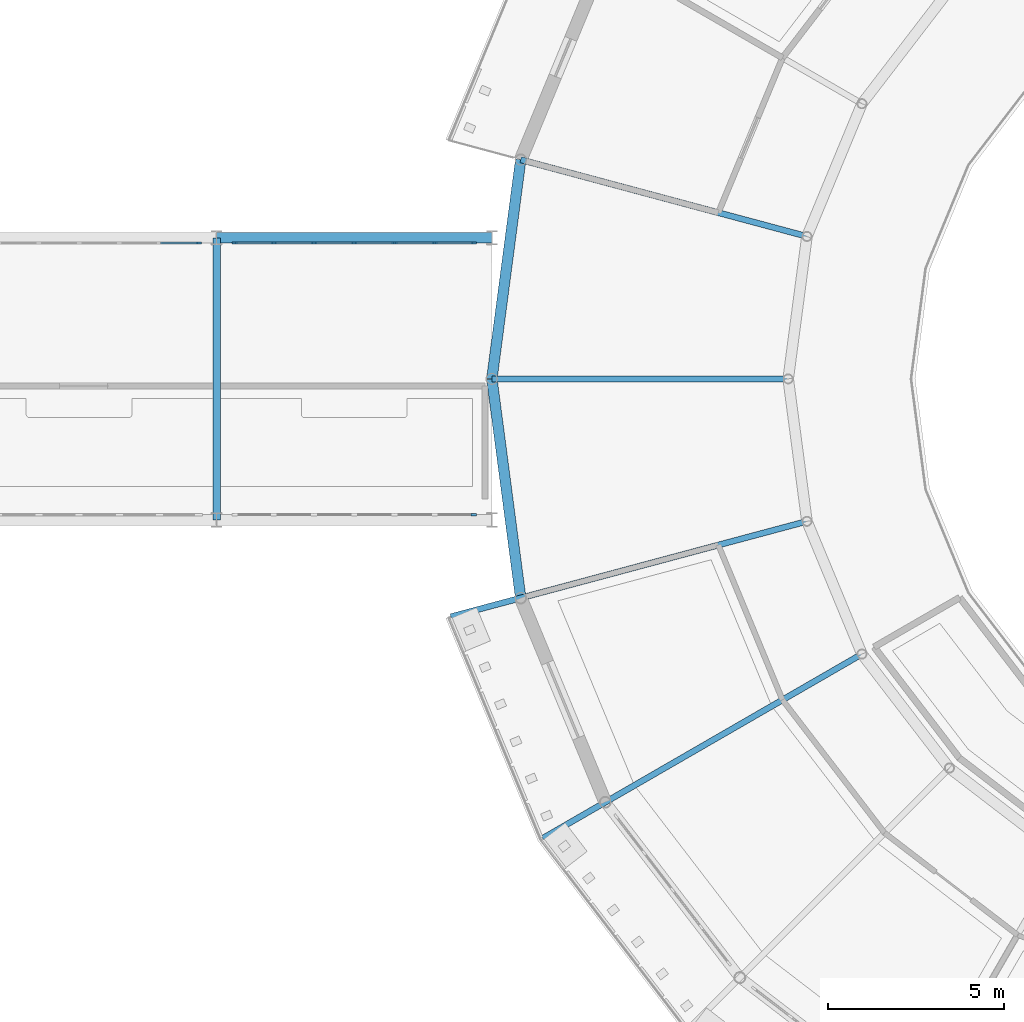
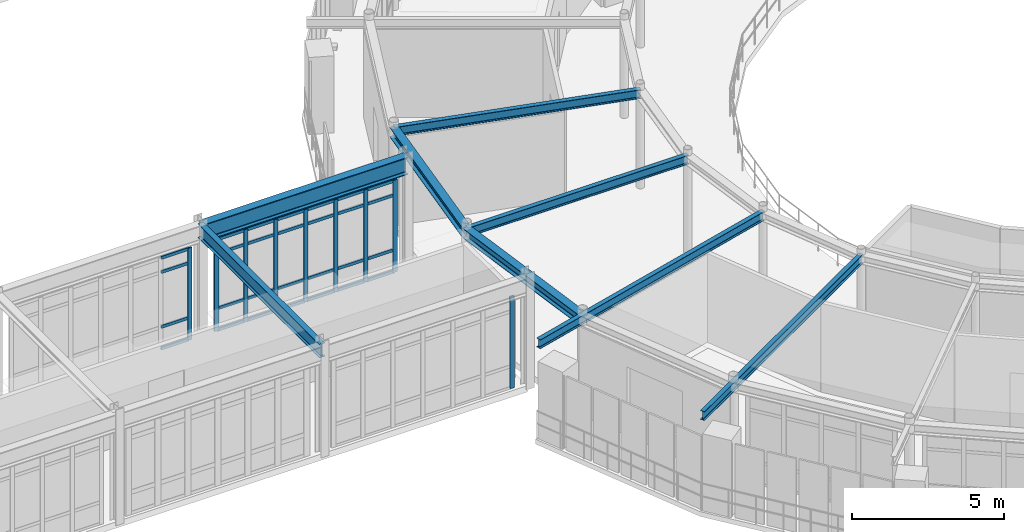
# One storey, part 30 of 90: 37 members, 8 beams, 3 elements without a shape of their own.
"""IFC4 building model written with IfcOpenShell, lengths in metres."""

from ifc_helpers import new_model, si_unit, derived_unit, direction, frame, origin, origin_2d, place, context, subcontext, project, spatial, rectangle, i_section, extrude, material, layer, layer_set, material_profile, profile_set, type_object, element, aggregate, save


model = new_model("IFC4")

# Units and contexts
model_context = context("Model", 3, precision=1e-05, world=origin(), true_north=direction((0.0, 1.0)))
body_context = subcontext(model_context, "Body", "Model", "MODEL_VIEW")
ifc_project = project(units=[si_unit("LENGTHUNIT", "METRE"), si_unit("AREAUNIT", "SQUARE_METRE"), si_unit("VOLUMEUNIT", "CUBIC_METRE"), si_unit("PLANEANGLEUNIT", "RADIAN"), si_unit("MASSUNIT", "GRAM", prefix="KILO"), derived_unit("THERMALTRANSMITTANCEUNIT", [(si_unit("POWERUNIT", "WATT"), 1), (si_unit("AREAUNIT", "SQUARE_METRE"), -1), (si_unit("THERMODYNAMICTEMPERATUREUNIT", "KELVIN"), -1)])], contexts=[model_context])

# Site, building, storey
site_placement = place(None, origin())
site = spatial("IfcSite", under=ifc_project, at=site_placement, CompositionType="ELEMENT")
building_placement = place(site_placement, origin())
building = spatial("IfcBuilding", under=site, at=building_placement, Name="Yasenodar Specialist Clinic", CompositionType="ELEMENT")
storey_placement = place(building_placement, frame((0.0, 0.0, 9.0)))
storey = spatial("IfcBuildingStorey", under=building, at=storey_placement, Name="L02", CompositionType="ELEMENT", Elevation=9.0)

# Beams
ifc_material_1 = material(Name="Steel S355", Category="steel")
ifc_material_profile_1 = material_profile(ifc_material_1, i_section(OverallWidth=0.300048828125, OverallDepth=0.389892578125, WebThickness=0.010986328125, FlangeThickness=0.01904296875, FilletRadius=0.027099609375, at=origin_2d()), Name="HEA 400")
ifc_profile_set_1 = profile_set([ifc_material_profile_1], Name="Steel S355")
beam_type_1 = type_object("IfcBeamType", Name="BM-HEA400", PredefinedType="BEAM", material=ifc_profile_set_1)
for number, where, z_axis, x_axis, name in (
    (1, (57.81787109375, 65.01171875, 3.7548828125), (-0.130540192224, -0.991443018138, 0.0), (0.991443018138, -0.130540192224, 0.0), "L02 Drum V1 Perimeter Ring Beam"),
    (2, (57.0, 58.800048828125, 3.7548828125), (0.130540192224, -0.991443018138, 0.0), (0.991443018138, 0.130540192224, 0.0), "L02 Drum V1 Perimeter Ring Beam"),
):
    element("IfcBeam", number, at=place(storey_placement, frame(where, z_axis=z_axis, x_axis=x_axis)), inside=storey, type_object=beam_type_1, Name=name, PredefinedType="BEAM", context=body_context, shape_type="SweptSolid", body=[
        extrude(i_section(OverallWidth=0.300048828125, OverallDepth=0.389892578125, WebThickness=0.010986328125, FlangeThickness=0.01904296875, FilletRadius=0.027099609375, at=origin_2d()), origin(), (0.0, 0.0, 1.0), 6.265380859375),
    ])
ifc_material_profile_2 = material_profile(ifc_material_1, i_section(OverallWidth=0.300048828125, OverallDepth=0.699951171875, WebThickness=0.01708984375, FlangeThickness=0.031982421875, FilletRadius=0.027099609375, at=origin_2d()), Name="HEB 700")
ifc_profile_set_2 = profile_set([ifc_material_profile_2], Name="Steel S355")
beam_type_2 = type_object("IfcBeamType", Name="BM-HEB700", PredefinedType="BEAM", material=ifc_profile_set_2)
beam_1_placement = place(storey_placement, frame((49.199951171875, 62.800048828125, 4.074951171875), z_axis=(1.0, 0.0, 0.0), x_axis=(0.0, 1.0, 0.0)))
element("IfcBeam", 3, at=beam_1_placement, inside=storey, type_object=beam_type_2, Name="L02 Light Bridge Girder", PredefinedType="BEAM", context=body_context, shape_type="SweptSolid", body=[
    extrude(i_section(OverallWidth=0.300048828125, OverallDepth=0.699951171875, WebThickness=0.01708984375, FlangeThickness=0.031982421875, FilletRadius=0.027099609375, at=origin_2d()), origin(), (0.0, 0.0, 1.0), 7.800048828125),
])
ifc_material_profile_3 = material_profile(ifc_material_1, i_section(OverallWidth=0.169921875, OverallDepth=0.360107421875, WebThickness=0.008056640625, FlangeThickness=0.0126953125, FilletRadius=0.01806640625, at=origin_2d()), Name="IPE 360")
ifc_profile_set_3 = profile_set([ifc_material_profile_3], Name="Steel S355")
beam_type_3 = type_object("IfcBeamType", Name="BM-IPE360", PredefinedType="BEAM", material=ifc_profile_set_3)
for number, where, z_axis, x_axis, name in (
    (4, (65.931640625, 62.837646484375, 3.77001953125), (-0.965925996761, 0.258818408893, 0.0), (-0.258818408893, -0.965925996761, 0.0), "L02 Drum V1 Radial Beam"),
    (5, (65.39990234375, 58.800048828125, 3.77001953125), (-1.0, 0.0, 0.0), (0.0, -1.0, 0.0), "L02 Drum V1 Radial Beam"),
):
    element("IfcBeam", number, at=place(storey_placement, frame(where, z_axis=z_axis, x_axis=x_axis)), inside=storey, type_object=beam_type_3, Name=name, PredefinedType="BEAM", context=body_context, shape_type="SweptSolid", body=[
        extrude(i_section(OverallWidth=0.169921875, OverallDepth=0.360107421875, WebThickness=0.008056640625, FlangeThickness=0.0126953125, FilletRadius=0.01806640625, at=origin_2d()), origin(), (0.0, 0.0, 1.0), 8.39990234375),
    ])
beam_2_placement = place(storey_placement, frame((65.931640625, 54.762451171875, 3.77001953125), z_axis=(-0.965927925162, -0.258811211874, 0.0), x_axis=(0.258811211874, -0.965927925162, 0.0)))
element("IfcBeam", 6, at=beam_2_placement, inside=storey, type_object=beam_type_3, Name="L02 Drum V1 Radial Back-Spanned Cantilever Beam", PredefinedType="BEAM", context=body_context, shape_type="SweptSolid", body=[
    extrude(i_section(OverallWidth=0.169921875, OverallDepth=0.360107421875, WebThickness=0.008056640625, FlangeThickness=0.0126953125, FilletRadius=0.01806640625, at=origin_2d()), origin(), (0.0, 0.0, 1.0), 10.449951171875),
])
beam_3_placement = place(storey_placement, frame((67.489990234375, 51.0, 3.77001953125), z_axis=(-0.86602335148, -0.500003554679, 0.0), x_axis=(0.500003554679, -0.86602335148, 0.0)))
element("IfcBeam", 7, at=beam_3_placement, inside=storey, type_object=beam_type_3, Name="L02 Drum V1 Radial Back-Spanned Cantilever Beam", PredefinedType="BEAM", context=body_context, shape_type="SweptSolid", body=[
    extrude(i_section(OverallWidth=0.169921875, OverallDepth=0.360107421875, WebThickness=0.008056640625, FlangeThickness=0.0126953125, FilletRadius=0.01806640625, at=origin_2d()), origin(), (0.0, 0.0, 1.0), 10.4501953125),
])
ifc_material_profile_4 = material_profile(ifc_material_1, i_section(OverallWidth=0.2099609375, OverallDepth=0.550048828125, WebThickness=0.010986328125, FlangeThickness=0.01708984375, FilletRadius=0.02392578125, at=origin_2d()), Name="IPE 550")
ifc_profile_set_4 = profile_set([ifc_material_profile_4], Name="Steel S355")
beam_type_4 = type_object("IfcBeamType", Name="BM-IPE550", PredefinedType="BEAM", material=ifc_profile_set_4)
beam_4_placement = place(storey_placement, frame((49.199951171875, 54.800048828125, 4.14990234375), z_axis=(0.0, 1.0, 0.0), x_axis=(-1.0, 0.0, 0.0)))
element("IfcBeam", 8, at=beam_4_placement, inside=storey, type_object=beam_type_4, Name="L02 Primary N-S Girder", PredefinedType="BEAM", context=body_context, shape_type="SweptSolid", body=[
    extrude(i_section(OverallWidth=0.2099609375, OverallDepth=0.550048828125, WebThickness=0.010986328125, FlangeThickness=0.01708984375, FilletRadius=0.02392578125, at=origin_2d()), origin(), (0.0, 0.0, 1.0), 8.0),
])

# Curtain wall, member
ifc_material_2 = material(Name="Bronze Anodized Aluminium and Triple Low-E Glass", Category="aluminium")
ifc_layer = layer(ifc_material_2, 0.19091796875)
ifc_layer_set = layer_set([ifc_layer], Name="Bronze Anodized Aluminium and Triple Low-E Glass")
curtain_wall_type = type_object("IfcCurtainWallType", Name="CW-SYS-03", PredefinedType="USERDEFINED", material=ifc_layer_set)
curtain_wall_1_placement = place(storey_placement, origin())
curtain_wall_1 = element("IfcCurtainWall", 9, at=curtain_wall_1_placement, inside=storey, type_object=curtain_wall_type, Name="L02 Unitised Curtain Wall 109", ObjectType="UNITISED CURTAIN WALL", PredefinedType="USERDEFINED")
ifc_material_3 = material(Name="Bronze Anodized Aluminium", Category="aluminium")
ifc_material_profile_5 = material_profile(ifc_material_3, rectangle(XDim=0.06005859375, YDim=0.159912109375, at=origin_2d()), Name="CW-MULL 60x160")
ifc_profile_set_5 = profile_set([ifc_material_profile_5], Name="Bronze Anodized Aluminium")
member_type_1 = type_object("IfcMemberType", Name="CW-MULL-160", PredefinedType="MULLION", material=ifc_profile_set_5)
member_1_placement = place(storey_placement, frame((48.68994140625, 62.64990234375, 0.0), z_axis=(0.0, 0.0, 1.0), x_axis=(0.0, 1.0, 0.0)))
member_1 = element("IfcMember", 10, at=member_1_placement, type_object=member_type_1, Name="CW-03 mullion 7", PredefinedType="MULLION", context=body_context, shape_type="SweptSolid", body=[
    extrude(rectangle(XDim=0.06005859375, YDim=0.159912109375, at=origin_2d()), origin(), (0.0, 0.0, 1.0), 3.702880859375),
])

# Curtain wall, members
curtain_wall_2_placement = place(storey_placement, origin())
curtain_wall_2 = element("IfcCurtainWall", 11, at=curtain_wall_2_placement, inside=storey, type_object=curtain_wall_type, Name="L02 Unitised Curtain Wall 111", ObjectType="UNITISED CURTAIN WALL", PredefinedType="USERDEFINED")
member_2_placement = place(storey_placement, frame((49.7099609375, 62.64990234375, 0.0), z_axis=(0.0, 0.0, 1.0), x_axis=(0.0, 1.0, 0.0)))
member_2 = element("IfcMember", 12, at=member_2_placement, type_object=member_type_1, Name="CW-03 mullion 1", PredefinedType="MULLION", context=body_context, shape_type="SweptSolid", body=[
    extrude(rectangle(XDim=0.06005859375, YDim=0.159912109375, at=origin_2d()), origin(), (0.0, 0.0, 1.0), 3.702880859375),
])
member_3_placement = place(storey_placement, frame((50.820068359375, 62.64990234375, 0.0), z_axis=(0.0, 0.0, 1.0), x_axis=(0.0, 1.0, 0.0)))
member_3 = element("IfcMember", 13, at=member_3_placement, type_object=member_type_1, Name="CW-03 mullion 2", PredefinedType="MULLION", context=body_context, shape_type="SweptSolid", body=[
    extrude(rectangle(XDim=0.06005859375, YDim=0.159912109375, at=origin_2d()), origin(), (0.0, 0.0, 1.0), 3.702880859375),
])
member_4_placement = place(storey_placement, frame((51.9599609375, 62.64990234375, 0.0), z_axis=(0.0, 0.0, 1.0), x_axis=(0.0, 1.0, 0.0)))
member_4 = element("IfcMember", 14, at=member_4_placement, type_object=member_type_1, Name="CW-03 mullion 3", PredefinedType="MULLION", context=body_context, shape_type="SweptSolid", body=[
    extrude(rectangle(XDim=0.06005859375, YDim=0.159912109375, at=origin_2d()), origin(), (0.0, 0.0, 1.0), 3.702880859375),
])
member_5_placement = place(storey_placement, frame((53.10009765625, 62.64990234375, 0.0), z_axis=(0.0, 0.0, 1.0), x_axis=(0.0, 1.0, 0.0)))
member_5 = element("IfcMember", 15, at=member_5_placement, type_object=member_type_1, Name="CW-03 mullion 4", PredefinedType="MULLION", context=body_context, shape_type="SweptSolid", body=[
    extrude(rectangle(XDim=0.06005859375, YDim=0.159912109375, at=origin_2d()), origin(), (0.0, 0.0, 1.0), 3.702880859375),
])
member_6_placement = place(storey_placement, frame((54.239990234375, 62.64990234375, 0.0), z_axis=(0.0, 0.0, 1.0), x_axis=(0.0, 1.0, 0.0)))
member_6 = element("IfcMember", 16, at=member_6_placement, type_object=member_type_1, Name="CW-03 mullion 5", PredefinedType="MULLION", context=body_context, shape_type="SweptSolid", body=[
    extrude(rectangle(XDim=0.06005859375, YDim=0.159912109375, at=origin_2d()), origin(), (0.0, 0.0, 1.0), 3.702880859375),
])
member_7_placement = place(storey_placement, frame((55.3798828125, 62.64990234375, 0.0), z_axis=(0.0, 0.0, 1.0), x_axis=(0.0, 1.0, 0.0)))
member_7 = element("IfcMember", 17, at=member_7_placement, type_object=member_type_1, Name="CW-03 mullion 6", PredefinedType="MULLION", context=body_context, shape_type="SweptSolid", body=[
    extrude(rectangle(XDim=0.06005859375, YDim=0.159912109375, at=origin_2d()), origin(), (0.0, 0.0, 1.0), 3.702880859375),
])
member_8_placement = place(storey_placement, frame((56.489990234375, 62.64990234375, 0.0), z_axis=(0.0, 0.0, 1.0), x_axis=(0.0, 1.0, 0.0)))
member_8 = element("IfcMember", 18, at=member_8_placement, type_object=member_type_1, Name="CW-03 mullion 7", PredefinedType="MULLION", context=body_context, shape_type="SweptSolid", body=[
    extrude(rectangle(XDim=0.06005859375, YDim=0.159912109375, at=origin_2d()), origin(), (0.0, 0.0, 1.0), 3.702880859375),
])

# Curtain wall, member
curtain_wall_3_placement = place(storey_placement, origin())
curtain_wall_3 = element("IfcCurtainWall", 19, at=curtain_wall_3_placement, inside=storey, type_object=curtain_wall_type, Name="L02 Unitised Curtain Wall 112", ObjectType="UNITISED CURTAIN WALL", PredefinedType="USERDEFINED")
member_9_placement = place(storey_placement, frame((56.489990234375, 54.949951171875, 0.0), z_axis=(0.0, 0.0, 1.0), x_axis=(0.0, -1.0, 0.0)))
member_9 = element("IfcMember", 20, at=member_9_placement, type_object=member_type_1, Name="CW-03 mullion 1", PredefinedType="MULLION", context=body_context, shape_type="SweptSolid", body=[
    extrude(rectangle(XDim=0.06005859375, YDim=0.159912109375, at=origin_2d()), origin(), (0.0, 0.0, 1.0), 3.702880859375),
])
aggregate(curtain_wall_3, [member_9])

# Member
ifc_material_profile_6 = material_profile(ifc_material_3, rectangle(XDim=0.06005859375, YDim=0.1201171875, at=origin_2d()), Name="CW-TRAN 60x120")
ifc_profile_set_6 = profile_set([ifc_material_profile_6], Name="Bronze Anodized Aluminium")
member_type_2 = type_object("IfcMemberType", Name="CW-TRAN-120", PredefinedType="USERDEFINED", material=ifc_profile_set_6)
member_10_placement = place(storey_placement, frame((47.610107421875, 62.64990234375, 0.030029296875), z_axis=(1.0, 0.0, 0.0), x_axis=(0.0, 1.0, 0.0)))
member_10 = element("IfcMember", 21, at=member_10_placement, type_object=member_type_2, Name="CW-03 transom 6.1", ObjectType="TRANSOM", PredefinedType="USERDEFINED", context=body_context, shape_type="SweptSolid", body=[
    extrude(rectangle(XDim=0.06005859375, YDim=0.1201171875, at=origin_2d()), origin(), (0.0, 0.0, 1.0), 1.0498046875),
])

member_11_placement = place(storey_placement, frame((47.610107421875, 62.64990234375, 0.89990234375), z_axis=(1.0, 0.0, 0.0), x_axis=(0.0, 1.0, 0.0)))
member_11 = element("IfcMember", 22, at=member_11_placement, type_object=member_type_2, Name="CW-03 transom 6.2", ObjectType="TRANSOM", PredefinedType="USERDEFINED", context=body_context, shape_type="SweptSolid", body=[
    extrude(rectangle(XDim=0.06005859375, YDim=0.1201171875, at=origin_2d()), origin(), (0.0, 0.0, 1.0), 1.0498046875),
])

member_12_placement = place(storey_placement, frame((47.610107421875, 62.64990234375, 3.10302734375), z_axis=(1.0, 0.0, 0.0), x_axis=(0.0, 1.0, 0.0)))
member_12 = element("IfcMember", 23, at=member_12_placement, type_object=member_type_2, Name="CW-03 transom 6.3", ObjectType="TRANSOM", PredefinedType="USERDEFINED", context=body_context, shape_type="SweptSolid", body=[
    extrude(rectangle(XDim=0.06005859375, YDim=0.1201171875, at=origin_2d()), origin(), (0.0, 0.0, 1.0), 1.0498046875),
])

member_13_placement = place(storey_placement, frame((47.610107421875, 62.64990234375, 3.673095703125), z_axis=(1.0, 0.0, 0.0), x_axis=(0.0, 1.0, 0.0)))
member_13 = element("IfcMember", 24, at=member_13_placement, type_object=member_type_2, Name="CW-03 transom 6.4", ObjectType="TRANSOM", PredefinedType="USERDEFINED", context=body_context, shape_type="SweptSolid", body=[
    extrude(rectangle(XDim=0.06005859375, YDim=0.1201171875, at=origin_2d()), origin(), (0.0, 0.0, 1.0), 1.0498046875),
])

aggregate(curtain_wall_1, [member_1, member_10, member_11, member_12, member_13])

member_14_placement = place(storey_placement, frame((49.739990234375, 62.64990234375, 0.030029296875), z_axis=(1.0, 0.0, 0.0), x_axis=(0.0, 1.0, 0.0)))
member_14 = element("IfcMember", 25, at=member_14_placement, type_object=member_type_2, Name="CW-03 transom 1.1", ObjectType="TRANSOM", PredefinedType="USERDEFINED", context=body_context, shape_type="SweptSolid", body=[
    extrude(rectangle(XDim=0.06005859375, YDim=0.1201171875, at=origin_2d()), origin(), (0.0, 0.0, 1.0), 1.050048828125),
])

member_15_placement = place(storey_placement, frame((49.739990234375, 62.64990234375, 0.89990234375), z_axis=(1.0, 0.0, 0.0), x_axis=(0.0, 1.0, 0.0)))
member_15 = element("IfcMember", 26, at=member_15_placement, type_object=member_type_2, Name="CW-03 transom 1.2", ObjectType="TRANSOM", PredefinedType="USERDEFINED", context=body_context, shape_type="SweptSolid", body=[
    extrude(rectangle(XDim=0.06005859375, YDim=0.1201171875, at=origin_2d()), origin(), (0.0, 0.0, 1.0), 1.050048828125),
])

member_16_placement = place(storey_placement, frame((49.739990234375, 62.64990234375, 3.10302734375), z_axis=(1.0, 0.0, 0.0), x_axis=(0.0, 1.0, 0.0)))
member_16 = element("IfcMember", 27, at=member_16_placement, type_object=member_type_2, Name="CW-03 transom 1.3", ObjectType="TRANSOM", PredefinedType="USERDEFINED", context=body_context, shape_type="SweptSolid", body=[
    extrude(rectangle(XDim=0.06005859375, YDim=0.1201171875, at=origin_2d()), origin(), (0.0, 0.0, 1.0), 1.050048828125),
])

member_17_placement = place(storey_placement, frame((49.739990234375, 62.64990234375, 3.673095703125), z_axis=(1.0, 0.0, 0.0), x_axis=(0.0, 1.0, 0.0)))
member_17 = element("IfcMember", 28, at=member_17_placement, type_object=member_type_2, Name="CW-03 transom 1.4", ObjectType="TRANSOM", PredefinedType="USERDEFINED", context=body_context, shape_type="SweptSolid", body=[
    extrude(rectangle(XDim=0.06005859375, YDim=0.1201171875, at=origin_2d()), origin(), (0.0, 0.0, 1.0), 1.050048828125),
])

member_18_placement = place(storey_placement, frame((50.85009765625, 62.64990234375, 0.030029296875), z_axis=(1.0, 0.0, 0.0), x_axis=(0.0, 1.0, 0.0)))
member_18 = element("IfcMember", 29, at=member_18_placement, type_object=member_type_2, Name="CW-03 transom 2.1", ObjectType="TRANSOM", PredefinedType="USERDEFINED", context=body_context, shape_type="SweptSolid", body=[
    extrude(rectangle(XDim=0.06005859375, YDim=0.1201171875, at=origin_2d()), origin(), (0.0, 0.0, 1.0), 1.079833984375),
])

member_19_placement = place(storey_placement, frame((50.85009765625, 62.64990234375, 0.89990234375), z_axis=(1.0, 0.0, 0.0), x_axis=(0.0, 1.0, 0.0)))
member_19 = element("IfcMember", 30, at=member_19_placement, type_object=member_type_2, Name="CW-03 transom 2.2", ObjectType="TRANSOM", PredefinedType="USERDEFINED", context=body_context, shape_type="SweptSolid", body=[
    extrude(rectangle(XDim=0.06005859375, YDim=0.1201171875, at=origin_2d()), origin(), (0.0, 0.0, 1.0), 1.079833984375),
])

member_20_placement = place(storey_placement, frame((50.85009765625, 62.64990234375, 3.10302734375), z_axis=(1.0, 0.0, 0.0), x_axis=(0.0, 1.0, 0.0)))
member_20 = element("IfcMember", 31, at=member_20_placement, type_object=member_type_2, Name="CW-03 transom 2.3", ObjectType="TRANSOM", PredefinedType="USERDEFINED", context=body_context, shape_type="SweptSolid", body=[
    extrude(rectangle(XDim=0.06005859375, YDim=0.1201171875, at=origin_2d()), origin(), (0.0, 0.0, 1.0), 1.079833984375),
])

member_21_placement = place(storey_placement, frame((50.85009765625, 62.64990234375, 3.673095703125), z_axis=(1.0, 0.0, 0.0), x_axis=(0.0, 1.0, 0.0)))
member_21 = element("IfcMember", 32, at=member_21_placement, type_object=member_type_2, Name="CW-03 transom 2.4", ObjectType="TRANSOM", PredefinedType="USERDEFINED", context=body_context, shape_type="SweptSolid", body=[
    extrude(rectangle(XDim=0.06005859375, YDim=0.1201171875, at=origin_2d()), origin(), (0.0, 0.0, 1.0), 1.079833984375),
])

member_22_placement = place(storey_placement, frame((51.989990234375, 62.64990234375, 0.030029296875), z_axis=(1.0, 0.0, 0.0), x_axis=(0.0, 1.0, 0.0)))
member_22 = element("IfcMember", 33, at=member_22_placement, type_object=member_type_2, Name="CW-03 transom 3.1", ObjectType="TRANSOM", PredefinedType="USERDEFINED", context=body_context, shape_type="SweptSolid", body=[
    extrude(rectangle(XDim=0.06005859375, YDim=0.1201171875, at=origin_2d()), origin(), (0.0, 0.0, 1.0), 1.080078125),
])

member_23_placement = place(storey_placement, frame((51.989990234375, 62.64990234375, 0.89990234375), z_axis=(1.0, 0.0, 0.0), x_axis=(0.0, 1.0, 0.0)))
member_23 = element("IfcMember", 34, at=member_23_placement, type_object=member_type_2, Name="CW-03 transom 3.2", ObjectType="TRANSOM", PredefinedType="USERDEFINED", context=body_context, shape_type="SweptSolid", body=[
    extrude(rectangle(XDim=0.06005859375, YDim=0.1201171875, at=origin_2d()), origin(), (0.0, 0.0, 1.0), 1.080078125),
])

member_24_placement = place(storey_placement, frame((51.989990234375, 62.64990234375, 3.10302734375), z_axis=(1.0, 0.0, 0.0), x_axis=(0.0, 1.0, 0.0)))
member_24 = element("IfcMember", 35, at=member_24_placement, type_object=member_type_2, Name="CW-03 transom 3.3", ObjectType="TRANSOM", PredefinedType="USERDEFINED", context=body_context, shape_type="SweptSolid", body=[
    extrude(rectangle(XDim=0.06005859375, YDim=0.1201171875, at=origin_2d()), origin(), (0.0, 0.0, 1.0), 1.080078125),
])

member_25_placement = place(storey_placement, frame((51.989990234375, 62.64990234375, 3.673095703125), z_axis=(1.0, 0.0, 0.0), x_axis=(0.0, 1.0, 0.0)))
member_25 = element("IfcMember", 36, at=member_25_placement, type_object=member_type_2, Name="CW-03 transom 3.4", ObjectType="TRANSOM", PredefinedType="USERDEFINED", context=body_context, shape_type="SweptSolid", body=[
    extrude(rectangle(XDim=0.06005859375, YDim=0.1201171875, at=origin_2d()), origin(), (0.0, 0.0, 1.0), 1.080078125),
])

member_26_placement = place(storey_placement, frame((53.1298828125, 62.64990234375, 0.030029296875), z_axis=(1.0, 0.0, 0.0), x_axis=(0.0, 1.0, 0.0)))
member_26 = element("IfcMember", 37, at=member_26_placement, type_object=member_type_2, Name="CW-03 transom 4.1", ObjectType="TRANSOM", PredefinedType="USERDEFINED", context=body_context, shape_type="SweptSolid", body=[
    extrude(rectangle(XDim=0.06005859375, YDim=0.1201171875, at=origin_2d()), origin(), (0.0, 0.0, 1.0), 1.080078125),
])

member_27_placement = place(storey_placement, frame((53.1298828125, 62.64990234375, 0.89990234375), z_axis=(1.0, 0.0, 0.0), x_axis=(0.0, 1.0, 0.0)))
member_27 = element("IfcMember", 38, at=member_27_placement, type_object=member_type_2, Name="CW-03 transom 4.2", ObjectType="TRANSOM", PredefinedType="USERDEFINED", context=body_context, shape_type="SweptSolid", body=[
    extrude(rectangle(XDim=0.06005859375, YDim=0.1201171875, at=origin_2d()), origin(), (0.0, 0.0, 1.0), 1.080078125),
])

member_28_placement = place(storey_placement, frame((53.1298828125, 62.64990234375, 3.10302734375), z_axis=(1.0, 0.0, 0.0), x_axis=(0.0, 1.0, 0.0)))
member_28 = element("IfcMember", 39, at=member_28_placement, type_object=member_type_2, Name="CW-03 transom 4.3", ObjectType="TRANSOM", PredefinedType="USERDEFINED", context=body_context, shape_type="SweptSolid", body=[
    extrude(rectangle(XDim=0.06005859375, YDim=0.1201171875, at=origin_2d()), origin(), (0.0, 0.0, 1.0), 1.080078125),
])

member_29_placement = place(storey_placement, frame((53.1298828125, 62.64990234375, 3.673095703125), z_axis=(1.0, 0.0, 0.0), x_axis=(0.0, 1.0, 0.0)))
member_29 = element("IfcMember", 40, at=member_29_placement, type_object=member_type_2, Name="CW-03 transom 4.4", ObjectType="TRANSOM", PredefinedType="USERDEFINED", context=body_context, shape_type="SweptSolid", body=[
    extrude(rectangle(XDim=0.06005859375, YDim=0.1201171875, at=origin_2d()), origin(), (0.0, 0.0, 1.0), 1.080078125),
])

member_30_placement = place(storey_placement, frame((54.27001953125, 62.64990234375, 0.030029296875), z_axis=(1.0, 0.0, 0.0), x_axis=(0.0, 1.0, 0.0)))
member_30 = element("IfcMember", 41, at=member_30_placement, type_object=member_type_2, Name="CW-03 transom 5.1", ObjectType="TRANSOM", PredefinedType="USERDEFINED", context=body_context, shape_type="SweptSolid", body=[
    extrude(rectangle(XDim=0.06005859375, YDim=0.1201171875, at=origin_2d()), origin(), (0.0, 0.0, 1.0), 1.080078125),
])

member_31_placement = place(storey_placement, frame((54.27001953125, 62.64990234375, 0.89990234375), z_axis=(1.0, 0.0, 0.0), x_axis=(0.0, 1.0, 0.0)))
member_31 = element("IfcMember", 42, at=member_31_placement, type_object=member_type_2, Name="CW-03 transom 5.2", ObjectType="TRANSOM", PredefinedType="USERDEFINED", context=body_context, shape_type="SweptSolid", body=[
    extrude(rectangle(XDim=0.06005859375, YDim=0.1201171875, at=origin_2d()), origin(), (0.0, 0.0, 1.0), 1.080078125),
])

member_32_placement = place(storey_placement, frame((54.27001953125, 62.64990234375, 3.10302734375), z_axis=(1.0, 0.0, 0.0), x_axis=(0.0, 1.0, 0.0)))
member_32 = element("IfcMember", 43, at=member_32_placement, type_object=member_type_2, Name="CW-03 transom 5.3", ObjectType="TRANSOM", PredefinedType="USERDEFINED", context=body_context, shape_type="SweptSolid", body=[
    extrude(rectangle(XDim=0.06005859375, YDim=0.1201171875, at=origin_2d()), origin(), (0.0, 0.0, 1.0), 1.080078125),
])

member_33_placement = place(storey_placement, frame((54.27001953125, 62.64990234375, 3.673095703125), z_axis=(1.0, 0.0, 0.0), x_axis=(0.0, 1.0, 0.0)))
member_33 = element("IfcMember", 44, at=member_33_placement, type_object=member_type_2, Name="CW-03 transom 5.4", ObjectType="TRANSOM", PredefinedType="USERDEFINED", context=body_context, shape_type="SweptSolid", body=[
    extrude(rectangle(XDim=0.06005859375, YDim=0.1201171875, at=origin_2d()), origin(), (0.0, 0.0, 1.0), 1.080078125),
])

member_34_placement = place(storey_placement, frame((55.409912109375, 62.64990234375, 0.030029296875), z_axis=(1.0, 0.0, 0.0), x_axis=(0.0, 1.0, 0.0)))
member_34 = element("IfcMember", 45, at=member_34_placement, type_object=member_type_2, Name="CW-03 transom 6.1", ObjectType="TRANSOM", PredefinedType="USERDEFINED", context=body_context, shape_type="SweptSolid", body=[
    extrude(rectangle(XDim=0.06005859375, YDim=0.1201171875, at=origin_2d()), origin(), (0.0, 0.0, 1.0), 1.050048828125),
])

member_35_placement = place(storey_placement, frame((55.409912109375, 62.64990234375, 0.89990234375), z_axis=(1.0, 0.0, 0.0), x_axis=(0.0, 1.0, 0.0)))
member_35 = element("IfcMember", 46, at=member_35_placement, type_object=member_type_2, Name="CW-03 transom 6.2", ObjectType="TRANSOM", PredefinedType="USERDEFINED", context=body_context, shape_type="SweptSolid", body=[
    extrude(rectangle(XDim=0.06005859375, YDim=0.1201171875, at=origin_2d()), origin(), (0.0, 0.0, 1.0), 1.050048828125),
])

member_36_placement = place(storey_placement, frame((55.409912109375, 62.64990234375, 3.10302734375), z_axis=(1.0, 0.0, 0.0), x_axis=(0.0, 1.0, 0.0)))
member_36 = element("IfcMember", 47, at=member_36_placement, type_object=member_type_2, Name="CW-03 transom 6.3", ObjectType="TRANSOM", PredefinedType="USERDEFINED", context=body_context, shape_type="SweptSolid", body=[
    extrude(rectangle(XDim=0.06005859375, YDim=0.1201171875, at=origin_2d()), origin(), (0.0, 0.0, 1.0), 1.050048828125),
])

member_37_placement = place(storey_placement, frame((55.409912109375, 62.64990234375, 3.673095703125), z_axis=(1.0, 0.0, 0.0), x_axis=(0.0, 1.0, 0.0)))
member_37 = element("IfcMember", 48, at=member_37_placement, type_object=member_type_2, Name="CW-03 transom 6.4", ObjectType="TRANSOM", PredefinedType="USERDEFINED", context=body_context, shape_type="SweptSolid", body=[
    extrude(rectangle(XDim=0.06005859375, YDim=0.1201171875, at=origin_2d()), origin(), (0.0, 0.0, 1.0), 1.050048828125),
])

aggregate(curtain_wall_2, [member_2, member_3, member_4, member_5, member_6, member_7, member_8, member_14, member_15, member_16, member_17, member_18, member_19, member_20, member_21, member_22, member_23, member_24, member_25, member_26, member_27, member_28, member_29, member_30, member_31, member_32, member_33, member_34, member_35, member_36, member_37])

save(model, "model.ifc")
